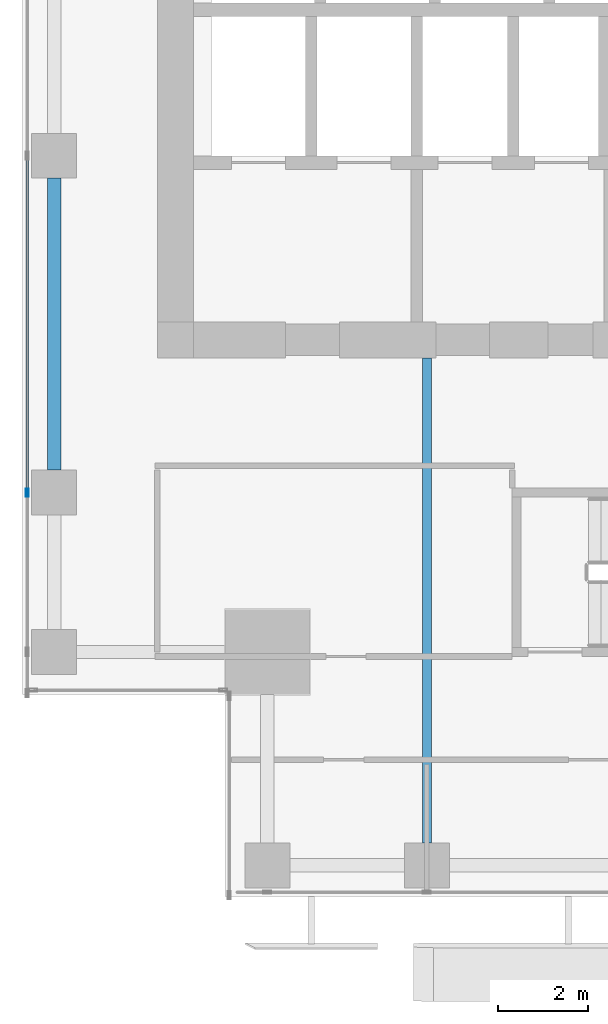
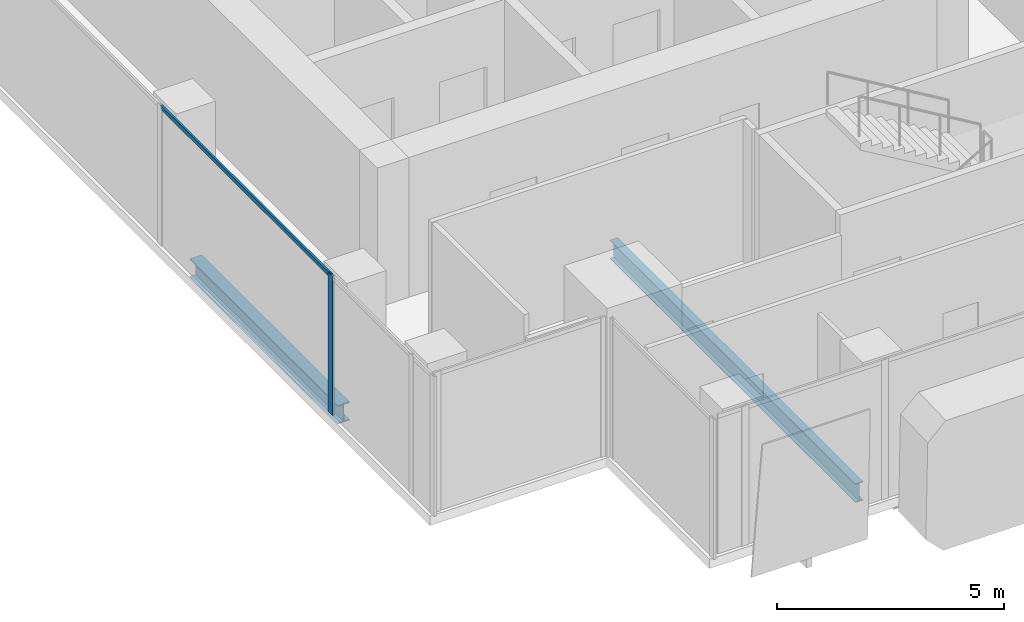
# One storey, part 4 of 37: 2 beams, 2 members, 1 element without a shape of its own.
"""IFC4 building model written with IfcOpenShell, lengths in metres."""

from ifc_helpers import new_model, si_unit, direction, frame, origin, origin_2d, place, context, subcontext, project, spatial, hollow_rectangle, i_section, extrude, source, transform, mapped, material, material_profile, profile_set, type_object, element, aggregate, save


model = new_model("IFC4")

# Units and contexts
model_context = context("Model", 3, precision=1e-05, world=origin(), true_north=direction((0.0, 1.0)))
body_context = subcontext(model_context, "Body", "Model", "MODEL_VIEW")
ifc_project = project(units=[si_unit("LENGTHUNIT", "METRE"), si_unit("AREAUNIT", "SQUARE_METRE"), si_unit("VOLUMEUNIT", "CUBIC_METRE"), si_unit("PLANEANGLEUNIT", "RADIAN"), si_unit("MASSUNIT", "GRAM", prefix="KILO")], contexts=[model_context])

# Site, building, storey
site_placement = place(None, origin())
site = spatial("IfcSite", under=ifc_project, at=site_placement, CompositionType="ELEMENT")
building_placement = place(site_placement, origin())
building = spatial("IfcBuilding", under=site, at=building_placement, Name="Khomas Fold Tower", CompositionType="ELEMENT")
storey_placement = place(building_placement, frame((0.0, 0.0, 168.699951171875)))
storey = spatial("IfcBuildingStorey", under=building, at=storey_placement, Name="L36", CompositionType="ELEMENT", Elevation=168.699951171875)

# Beams
ifc_material_1 = material(Name="Steel S355", Category="steel")
ifc_material_profile_1 = material_profile(ifc_material_1, i_section(OverallWidth=0.300048828125, OverallDepth=0.5, WebThickness=0.014404296875, FlangeThickness=0.028076171875, at=origin_2d()), Name="HE 500 B")
ifc_profile_set_1 = profile_set([ifc_material_profile_1], Name="Steel S355")
beam_type_1 = type_object("IfcBeamType", Name="HE 500 B spandrel SB3", PredefinedType="SPANDREL", material=ifc_profile_set_1)
shared_shape_1 = source(origin(), body_context, "Body", "SweptSolid", [
    extrude(i_section(OverallWidth=0.300048828125, OverallDepth=0.5, WebThickness=0.014404296875, FlangeThickness=0.028076171875, at=origin_2d()), origin(), (0.0, 0.0, 1.0), 6.5),
])
beam_1_placement = place(storey_placement, frame((3.699951171875, 12.5, -0.5), z_axis=(0.0, 1.0, 0.0), x_axis=(-1.0, 0.0, 0.0)))
element("IfcBeam", 1, at=beam_1_placement, inside=storey, type_object=beam_type_1, Name="SB3", PredefinedType="SPANDREL", context=body_context, shape_type="MappedRepresentation", body=[
    mapped(shared_shape_1, transform((0.0, 0.0, 0.0))),
])
ifc_material_2 = material(Name="Steel S355", Category="steel")
ifc_material_profile_2 = material_profile(ifc_material_2, i_section(OverallWidth=0.199951171875, OverallDepth=0.5, WebThickness=0.01025390625, FlangeThickness=0.01611328125, at=origin_2d()), Name="IPE 500")
ifc_profile_set_2 = profile_set([ifc_material_profile_2], Name="Steel S355")
beam_type_2 = type_object("IfcBeamType", Name="IPE 500 beam JB5", PredefinedType="BEAM", material=ifc_profile_set_2)
shared_shape_2 = source(origin(), body_context, "Body", "SweptSolid", [
    extrude(i_section(OverallWidth=0.199951171875, OverallDepth=0.5, WebThickness=0.01025390625, FlangeThickness=0.01611328125, at=origin_2d()), origin(), (0.0, 0.0, 1.0), 10.800048828125),
])
beam_2_placement = place(storey_placement, frame((12.0, 4.199951171875, -0.5), z_axis=(0.0, 1.0, 0.0), x_axis=(-1.0, 0.0, 0.0)))
element("IfcBeam", 2, at=beam_2_placement, inside=storey, type_object=beam_type_2, Name="JB5", PredefinedType="BEAM", context=body_context, shape_type="MappedRepresentation", body=[
    mapped(shared_shape_2, transform((0.0, 0.0, 0.0))),
])

# Curtain wall, members
ifc_material_3 = material(Name="Aluminium framed double glazing", Category="aluminium")
curtain_wall_type = type_object("IfcCurtainWallType", Name="SK-Unitised clear-glass wall, office floors CW2", PredefinedType="NOTDEFINED", material=ifc_material_3)
curtain_wall_placement = place(storey_placement, origin())
curtain_wall = element("IfcCurtainWall", 3, at=curtain_wall_placement, inside=storey, type_object=curtain_wall_type, Name="CW2 run L36 18-0", PredefinedType="NOTDEFINED")
ifc_material_4 = material(Name="Aluminium", Category="aluminium")
ifc_material_profile_3 = material_profile(ifc_material_4, hollow_rectangle(XDim=0.06005859375, YDim=0.179931640625, WallThickness=0.00390625, at=origin_2d()), Name="SK-Unitised clear-glass wall, office floors mullion CW2-M")
ifc_profile_set_3 = profile_set([ifc_material_profile_3], Name="Aluminium")
member_type_1 = type_object("IfcMemberType", Name="SK-Unitised clear-glass wall, office floors mullion CW2-M", PredefinedType="MULLION", material=ifc_profile_set_3)
shared_shape_3 = source(origin(), body_context, "Body", "SweptSolid", [
    extrude(hollow_rectangle(XDim=0.06005859375, YDim=0.179931640625, WallThickness=0.00390625, at=origin_2d()), origin(), (0.0, 0.0, 1.0), 3.75),
])
member_1_placement = place(storey_placement, frame((3.10009765625, 12.0, 0.0), z_axis=(0.0, 0.0, 1.0), x_axis=(1.0, 0.0, 0.0)))
member_1 = element("IfcMember", 4, at=member_1_placement, type_object=member_type_1, Name="CW2 mullion 7", PredefinedType="MULLION", context=body_context, shape_type="MappedRepresentation", body=[
    mapped(shared_shape_3, transform((0.0, 0.0, 0.0))),
])
ifc_material_5 = material(Name="Aluminium", Category="aluminium")
ifc_material_profile_4 = material_profile(ifc_material_5, hollow_rectangle(XDim=0.050048828125, YDim=0.110107421875, WallThickness=0.00390625, at=origin_2d()), Name="SK-Unitised clear-glass wall, office floors transom CW2-T")
ifc_profile_set_4 = profile_set([ifc_material_profile_4], Name="Aluminium")
member_type_2 = type_object("IfcMemberType", Name="SK-Unitised clear-glass wall, office floors transom CW2-T", PredefinedType="USERDEFINED", material=ifc_profile_set_4)
shared_shape_4 = source(origin(), body_context, "Body", "SweptSolid", [
    extrude(hollow_rectangle(XDim=0.050048828125, YDim=0.110107421875, WallThickness=0.00390625, at=origin_2d()), origin(), (0.0, 0.0, 1.0), 7.43994140625),
])
member_2_placement = place(storey_placement, frame((3.10009765625, 19.469970703125, 3.695068359375), z_axis=(0.0, -1.0, 0.0), x_axis=(1.0, 0.0, 0.0)))
member_2 = element("IfcMember", 5, at=member_2_placement, type_object=member_type_2, Name="CW2 transom 6", ObjectType="TRANSOM", PredefinedType="USERDEFINED", context=body_context, shape_type="MappedRepresentation", body=[
    mapped(shared_shape_4, transform((0.0, 0.0, 0.0))),
])
aggregate(curtain_wall, [member_1, member_2])

save(model, "model.ifc")
